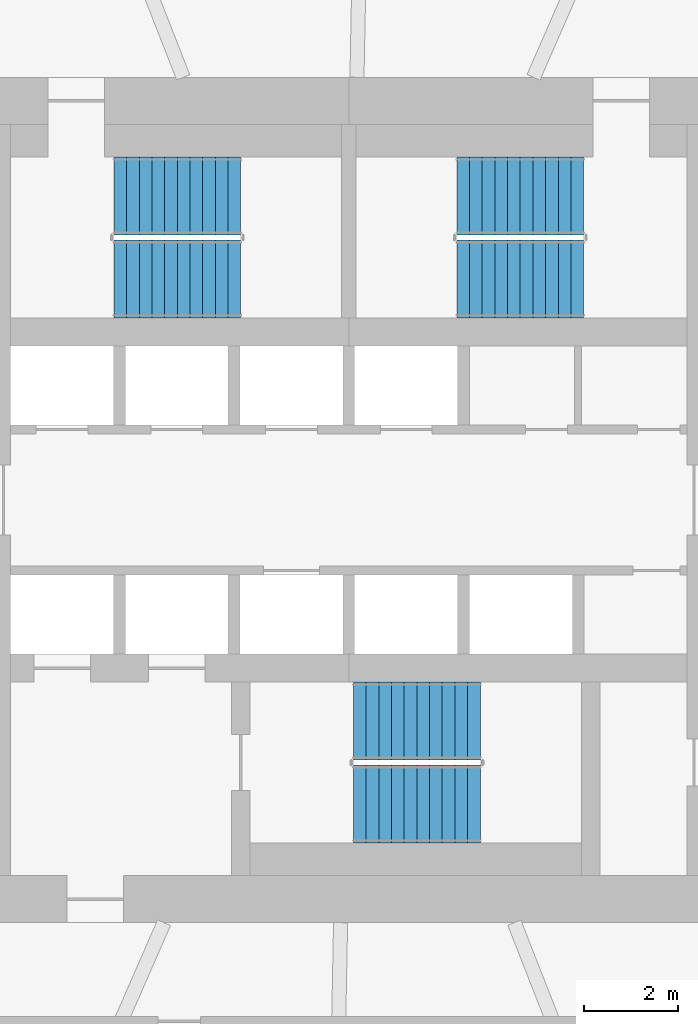
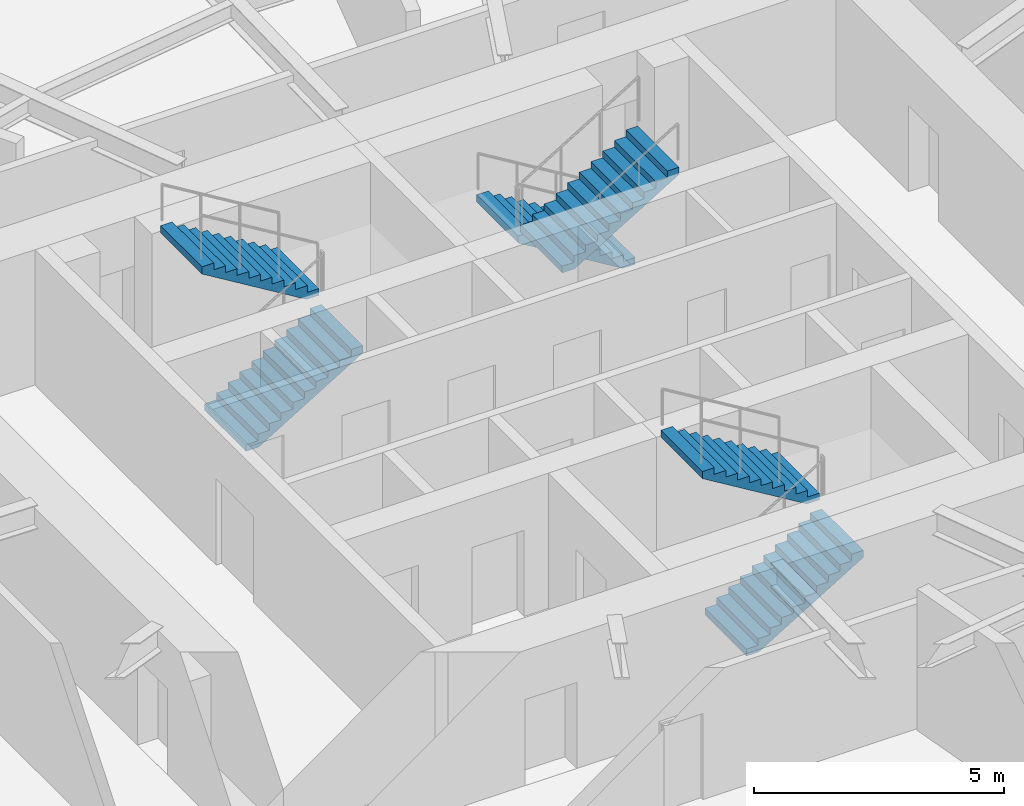
# One storey, part 11 of 16: 6 stair flights, 3 elements without a shape of their own.
"""IFC4 building model written with IfcOpenShell, lengths in metres."""

from ifc_helpers import new_model, si_unit, direction, frame, origin, place, context, subcontext, project, spatial, polyline, outline, extrude, material, type_object, element, aggregate, save


model = new_model("IFC4")

# Units and contexts
model_context = context("Model", 3, precision=1e-05, world=origin(), true_north=direction((0.0, 1.0)))
body_context = subcontext(model_context, "Body", "Model", "MODEL_VIEW")
ifc_project = project(units=[si_unit("LENGTHUNIT", "METRE"), si_unit("AREAUNIT", "SQUARE_METRE"), si_unit("VOLUMEUNIT", "CUBIC_METRE"), si_unit("PLANEANGLEUNIT", "RADIAN"), si_unit("MASSUNIT", "GRAM", prefix="KILO")], contexts=[model_context])

# Site, building, storey
site_placement = place(None, origin())
site = spatial("IfcSite", under=ifc_project, at=site_placement, CompositionType="ELEMENT")
building_placement = place(site_placement, origin())
building = spatial("IfcBuilding", under=site, at=building_placement, Name="Vermilion Reach Broadcast Tower", CompositionType="ELEMENT")
storey_placement = place(building_placement, frame((0.0, 0.0, 147.0)))
storey = spatial("IfcBuildingStorey", under=building, at=storey_placement, Name="L34", CompositionType="ELEMENT", Elevation=147.0)

# Stair, stair flights
ifc_material_1 = material(Name="Concrete C40", Category="concrete")
stair_type = type_object("IfcStairType", Name="Exit stair RC 22 risers 164 mm", PredefinedType="HALF_TURN_STAIR", material=ifc_material_1)
placement = place(storey_placement, origin())
stair_1 = element("IfcStair", 1, at=placement, inside=storey, type_object=stair_type, Name="L34 Exit stair ST1", PredefinedType="HALF_TURN_STAIR")
ifc_material_2 = material(Name="Concrete C40", Category="concrete")
stair_flight_type = type_object("IfcStairFlightType", Name="Exit stair flight RC 11 risers", PredefinedType="STRAIGHT", material=ifc_material_2)
stair_flight_1_placement = place(storey_placement, frame((-11.0, 4.7099609375, 0.0), z_axis=(0.0, 0.0, 1.0), x_axis=(1.0, 0.0, 0.0)))
stair_flight_1 = element("IfcStairFlight", 2, at=stair_flight_1_placement, type_object=stair_flight_type, Name="ST1 flight 1", NumberOfRisers=11, NumberOfTreads=10, PredefinedType="STRAIGHT", RiserHeight=0.163636364, TreadLength=0.27, context=body_context, shape_type="SweptSolid", body=[
    extrude(outline(polyline([(0.0, 0.0), (0.0, 0.16357421875), (0.27001953125, 0.16357421875), (0.27001953125, 0.327392578125), (0.5400390625, 0.327392578125), (0.5400390625, 0.490966796875), (0.81005859375, 0.490966796875), (0.81005859375, 0.654541015625), (1.080078125, 0.654541015625), (1.080078125, 0.818115234375), (1.35009765625, 0.818115234375), (1.35009765625, 0.98193359375), (1.6201171875, 0.98193359375), (1.6201171875, 1.1455078125), (1.889892578125, 1.1455078125), (1.889892578125, 1.30908203125), (2.159912109375, 1.30908203125), (2.159912109375, 1.47265625), (2.429931640625, 1.47265625), (2.429931640625, 1.636474609375), (2.699951171875, 1.636474609375), (2.699951171875, 1.800048828125), (2.699951171875, 1.461181640625), (0.289306640625, 0.0), (0.0, 0.0)])), frame((0.0, 0.830078125, 0.0), z_axis=(0.0, -1.0, 0.0), x_axis=(1.0, 0.0, 0.0)), (0.0, 0.0, 1.0), 1.659912109375),
])
stair_flight_2_placement = place(storey_placement, frame((-8.300048828125, 6.469970703125, 1.800048828125), z_axis=(0.0, 0.0, 1.0), x_axis=(-1.0, 0.0, 0.0)))
stair_flight_2 = element("IfcStairFlight", 3, at=stair_flight_2_placement, type_object=stair_flight_type, Name="ST1 flight 2", NumberOfRisers=11, NumberOfTreads=10, PredefinedType="STRAIGHT", RiserHeight=0.163636364, TreadLength=0.27, context=body_context, shape_type="SweptSolid", body=[
    extrude(outline(polyline([(0.0, 0.0), (0.0, 0.16357421875), (0.27001953125, 0.16357421875), (0.27001953125, 0.327392578125), (0.5400390625, 0.327392578125), (0.5400390625, 0.490966796875), (0.81005859375, 0.490966796875), (0.81005859375, 0.654541015625), (1.080078125, 0.654541015625), (1.080078125, 0.818115234375), (1.35009765625, 0.818115234375), (1.35009765625, 0.98193359375), (1.6201171875, 0.98193359375), (1.6201171875, 1.1455078125), (1.889892578125, 1.1455078125), (1.889892578125, 1.30908203125), (2.159912109375, 1.30908203125), (2.159912109375, 1.47265625), (2.429931640625, 1.47265625), (2.429931640625, 1.636474609375), (2.699951171875, 1.636474609375), (2.699951171875, 1.800048828125), (2.699951171875, 1.461181640625), (0.289306640625, 0.0), (0.0, 0.0)])), frame((0.0, 0.830078125, 0.0), z_axis=(0.0, -1.0, 0.0), x_axis=(1.0, 0.0, 0.0)), (0.0, 0.0, 1.0), 1.659912109375),
])
aggregate(stair_1, [stair_flight_1, stair_flight_2])

stair_2 = element("IfcStair", 4, at=placement, inside=storey, type_object=stair_type, Name="L34 Exit stair ST2", PredefinedType="HALF_TURN_STAIR")
stair_flight_3_placement = place(storey_placement, frame((-1.0, 6.469970703125, 0.0), z_axis=(0.0, 0.0, 1.0), x_axis=(-1.0, 0.0, 0.0)))
stair_flight_3 = element("IfcStairFlight", 5, at=stair_flight_3_placement, type_object=stair_flight_type, Name="ST2 flight 1", NumberOfRisers=11, NumberOfTreads=10, PredefinedType="STRAIGHT", RiserHeight=0.163636364, TreadLength=0.27, context=body_context, shape_type="SweptSolid", body=[
    extrude(outline(polyline([(0.0, 0.0), (0.0, 0.16357421875), (0.27001953125, 0.16357421875), (0.27001953125, 0.327392578125), (0.5400390625, 0.327392578125), (0.5400390625, 0.490966796875), (0.81005859375, 0.490966796875), (0.81005859375, 0.654541015625), (1.080078125, 0.654541015625), (1.080078125, 0.818115234375), (1.35009765625, 0.818115234375), (1.35009765625, 0.98193359375), (1.6201171875, 0.98193359375), (1.6201171875, 1.1455078125), (1.889892578125, 1.1455078125), (1.889892578125, 1.30908203125), (2.159912109375, 1.30908203125), (2.159912109375, 1.47265625), (2.429931640625, 1.47265625), (2.429931640625, 1.636474609375), (2.699951171875, 1.636474609375), (2.699951171875, 1.800048828125), (2.699951171875, 1.461181640625), (0.289306640625, 0.0), (0.0, 0.0)])), frame((0.0, 0.830078125, 0.0), z_axis=(0.0, -1.0, 0.0), x_axis=(1.0, 0.0, 0.0)), (0.0, 0.0, 1.0), 1.659912109375),
])
stair_flight_4_placement = place(storey_placement, frame((-3.699951171875, 4.7099609375, 1.800048828125), z_axis=(0.0, 0.0, 1.0), x_axis=(1.0, 0.0, 0.0)))
stair_flight_4 = element("IfcStairFlight", 6, at=stair_flight_4_placement, type_object=stair_flight_type, Name="ST2 flight 2", NumberOfRisers=11, NumberOfTreads=10, PredefinedType="STRAIGHT", RiserHeight=0.163636364, TreadLength=0.27, context=body_context, shape_type="SweptSolid", body=[
    extrude(outline(polyline([(0.0, 0.0), (0.0, 0.16357421875), (0.27001953125, 0.16357421875), (0.27001953125, 0.327392578125), (0.5400390625, 0.327392578125), (0.5400390625, 0.490966796875), (0.81005859375, 0.490966796875), (0.81005859375, 0.654541015625), (1.080078125, 0.654541015625), (1.080078125, 0.818115234375), (1.35009765625, 0.818115234375), (1.35009765625, 0.98193359375), (1.6201171875, 0.98193359375), (1.6201171875, 1.1455078125), (1.889892578125, 1.1455078125), (1.889892578125, 1.30908203125), (2.159912109375, 1.30908203125), (2.159912109375, 1.47265625), (2.429931640625, 1.47265625), (2.429931640625, 1.636474609375), (2.699951171875, 1.636474609375), (2.699951171875, 1.800048828125), (2.699951171875, 1.461181640625), (0.289306640625, 0.0), (0.0, 0.0)])), frame((0.0, 0.830078125, 0.0), z_axis=(0.0, -1.0, 0.0), x_axis=(1.0, 0.0, 0.0)), (0.0, 0.0, 1.0), 1.659912109375),
])
aggregate(stair_2, [stair_flight_3, stair_flight_4])

stair_3 = element("IfcStair", 7, at=placement, inside=storey, type_object=stair_type, Name="L34 Exit stair ST3", PredefinedType="HALF_TURN_STAIR")
stair_flight_5_placement = place(storey_placement, frame((-5.89990234375, -6.469970703125, 0.0), z_axis=(0.0, 0.0, 1.0), x_axis=(1.0, 0.0, 0.0)))
stair_flight_5 = element("IfcStairFlight", 8, at=stair_flight_5_placement, type_object=stair_flight_type, Name="ST3 flight 1", NumberOfRisers=11, NumberOfTreads=10, PredefinedType="STRAIGHT", RiserHeight=0.163636364, TreadLength=0.27, context=body_context, shape_type="SweptSolid", body=[
    extrude(outline(polyline([(0.0, 0.0), (0.0, 0.16357421875), (0.27001953125, 0.16357421875), (0.27001953125, 0.327392578125), (0.5400390625, 0.327392578125), (0.5400390625, 0.490966796875), (0.81005859375, 0.490966796875), (0.81005859375, 0.654541015625), (1.080078125, 0.654541015625), (1.080078125, 0.818115234375), (1.35009765625, 0.818115234375), (1.35009765625, 0.98193359375), (1.6201171875, 0.98193359375), (1.6201171875, 1.1455078125), (1.889892578125, 1.1455078125), (1.889892578125, 1.30908203125), (2.159912109375, 1.30908203125), (2.159912109375, 1.47265625), (2.429931640625, 1.47265625), (2.429931640625, 1.636474609375), (2.699951171875, 1.636474609375), (2.699951171875, 1.800048828125), (2.699951171875, 1.461181640625), (0.289306640625, 0.0), (0.0, 0.0)])), frame((0.0, 0.830078125, 0.0), z_axis=(0.0, -1.0, 0.0), x_axis=(1.0, 0.0, 0.0)), (0.0, 0.0, 1.0), 1.659912109375),
])
stair_flight_6_placement = place(storey_placement, frame((-3.199951171875, -4.7099609375, 1.800048828125), z_axis=(0.0, 0.0, 1.0), x_axis=(-1.0, 0.0, 0.0)))
stair_flight_6 = element("IfcStairFlight", 9, at=stair_flight_6_placement, type_object=stair_flight_type, Name="ST3 flight 2", NumberOfRisers=11, NumberOfTreads=10, PredefinedType="STRAIGHT", RiserHeight=0.163636364, TreadLength=0.27, context=body_context, shape_type="SweptSolid", body=[
    extrude(outline(polyline([(0.0, 0.0), (0.0, 0.16357421875), (0.27001953125, 0.16357421875), (0.27001953125, 0.327392578125), (0.5400390625, 0.327392578125), (0.5400390625, 0.490966796875), (0.81005859375, 0.490966796875), (0.81005859375, 0.654541015625), (1.080078125, 0.654541015625), (1.080078125, 0.818115234375), (1.35009765625, 0.818115234375), (1.35009765625, 0.98193359375), (1.6201171875, 0.98193359375), (1.6201171875, 1.1455078125), (1.889892578125, 1.1455078125), (1.889892578125, 1.30908203125), (2.159912109375, 1.30908203125), (2.159912109375, 1.47265625), (2.429931640625, 1.47265625), (2.429931640625, 1.636474609375), (2.699951171875, 1.636474609375), (2.699951171875, 1.800048828125), (2.699951171875, 1.461181640625), (0.289306640625, 0.0), (0.0, 0.0)])), frame((0.0, 0.830078125, 0.0), z_axis=(0.0, -1.0, 0.0), x_axis=(1.0, 0.0, 0.0)), (0.0, 0.0, 1.0), 1.659912109375),
])
aggregate(stair_3, [stair_flight_5, stair_flight_6])

save(model, "model.ifc")
